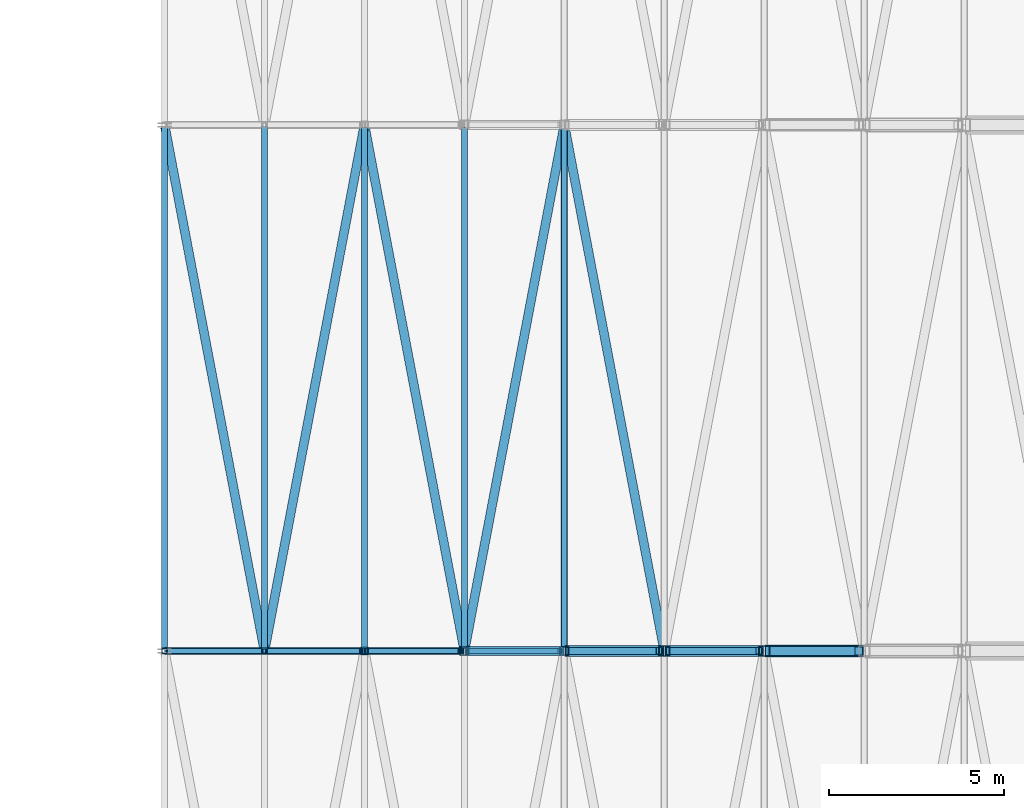
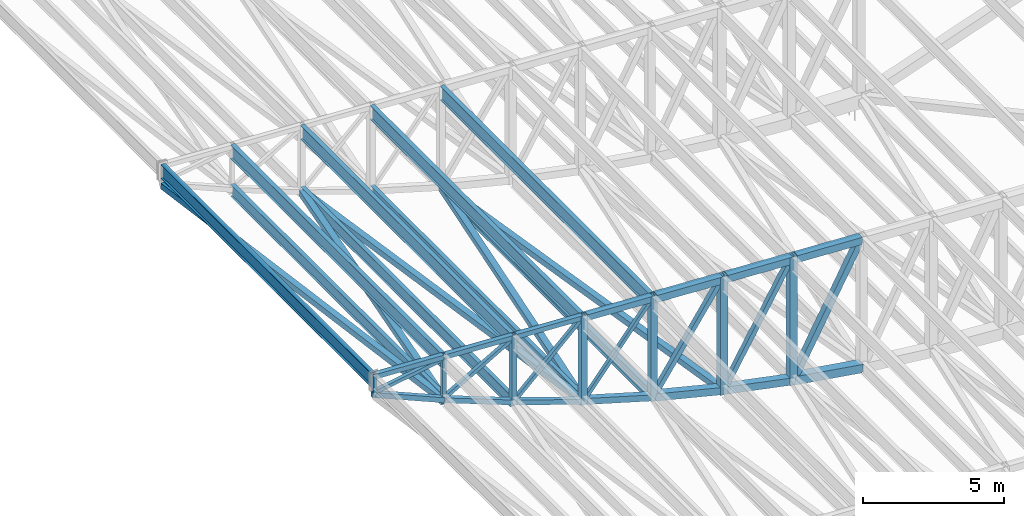
# One storey, part 53 of 278: 21 beams, 21 members.
"""IFC4 building model written with IfcOpenShell, lengths in metres."""

from ifc_helpers import new_model, si_unit, direction, frame, origin, origin_2d, place, context, subcontext, project, spatial, hollow_rectangle, i_section, extrude, material, material_profile, profile_set, type_object, element, save


model = new_model("IFC4")

# Units and contexts
model_context = context("Model", 3, precision=1e-05, world=origin(), true_north=direction((0.0, 1.0)))
body_context = subcontext(model_context, "Body", "Model", "MODEL_VIEW")
ifc_project = project(units=[si_unit("LENGTHUNIT", "METRE"), si_unit("AREAUNIT", "SQUARE_METRE"), si_unit("VOLUMEUNIT", "CUBIC_METRE"), si_unit("PLANEANGLEUNIT", "RADIAN"), si_unit("MASSUNIT", "GRAM", prefix="KILO")], contexts=[model_context])

# Site, building, storey
site_placement = place(None, origin())
site = spatial("IfcSite", under=ifc_project, at=site_placement, CompositionType="ELEMENT")
building_placement = place(site_placement, origin())
building = spatial("IfcBuilding", under=site, at=building_placement, Name="Ogive Plaza Stadium", CompositionType="ELEMENT")
storey_placement = place(building_placement, frame((0.0, 0.0, 29.0)))
storey = spatial("IfcBuildingStorey", under=building, at=storey_placement, Name="Roof", CompositionType="ELEMENT", Elevation=29.0)

# Members
ifc_material_1 = material(Name="Steel ASTM A500 Grade C", Category="steel")
ifc_material_profile_1 = material_profile(ifc_material_1, hollow_rectangle(XDim=0.25390625, YDim=0.25390625, WallThickness=0.0087890625, at=origin_2d()), Name="HSS10X10X3/8")
ifc_profile_set_1 = profile_set([ifc_material_profile_1], Name="Steel ASTM A500 Grade C")
member_type_1 = type_object("IfcMemberType", Name="Roof plan brace HSS10X10X3/8", PredefinedType="BRACE", material=ifc_profile_set_1)
member_1_placement = place(storey_placement, frame((45.513427734375, -22.5703125, 6.520751953125), z_axis=(0.1860644689, -0.979300227871, -0.079693645318), x_axis=(0.982424925297, 0.186658153196, 0.0)))
element("IfcMember", 1, at=member_1_placement, inside=storey, type_object=member_type_1, Name="ROOF BRACE B06 1", PredefinedType="BRACE", context=body_context, shape_type="SweptSolid", body=[
    extrude(hollow_rectangle(XDim=0.25390625, YDim=0.25390625, WallThickness=0.0087890625, at=origin_2d()), origin(), (0.0, 0.0, 1.0), 15.173583984375),
])
member_2_placement = place(storey_placement, frame((48.36328125, -37.4296875, 5.30078125), z_axis=(0.18619699352, 0.979917118172, -0.071366106221), x_axis=(-0.982422109195, 0.186672974385, 0.0)))
element("IfcMember", 2, at=member_2_placement, inside=storey, type_object=member_type_1, Name="ROOF BRACE B06 2", PredefinedType="BRACE", context=body_context, shape_type="SweptSolid", body=[
    extrude(hollow_rectangle(XDim=0.25390625, YDim=0.25390625, WallThickness=0.0087890625, at=origin_2d()), origin(), (0.0, 0.0, 1.0), 15.1376953125),
])
member_3_placement = place(storey_placement, frame((51.21826171875, -22.595947265625, 4.20751953125), z_axis=(0.186305134019, -0.980575459807, -0.061336487198), x_axis=(0.982425223956, 0.186656581279, 0.0)))
element("IfcMember", 3, at=member_3_placement, inside=storey, type_object=member_type_1, Name="ROOF BRACE B06 3", PredefinedType="BRACE", context=body_context, shape_type="SweptSolid", body=[
    extrude(hollow_rectangle(XDim=0.25390625, YDim=0.25390625, WallThickness=0.0087890625, at=origin_2d()), origin(), (0.0, 0.0, 1.0), 15.1015625),
])
member_4_placement = place(storey_placement, frame((54.068115234375, -37.404052734375, 3.27001953125), z_axis=(0.186406461707, 0.981044003163, -0.052965034622), x_axis=(-0.982422964001, 0.186668475654, 0.0)))
element("IfcMember", 4, at=member_4_placement, inside=storey, type_object=member_type_1, Name="ROOF BRACE B06 4", PredefinedType="BRACE", context=body_context, shape_type="SweptSolid", body=[
    extrude(hollow_rectangle(XDim=0.25390625, YDim=0.25390625, WallThickness=0.0087890625, at=origin_2d()), origin(), (0.0, 0.0, 1.0), 15.068359375),
])
member_5_placement = place(storey_placement, frame((56.923095703125, -22.621337890625, 2.459716796875), z_axis=(0.186461324063, -0.981373677857, -0.046237204039), x_axis=(0.982424391989, 0.186660960097, 0.0)))
element("IfcMember", 5, at=member_5_placement, inside=storey, type_object=member_type_1, Name="ROOF BRACE B06 5", PredefinedType="BRACE", context=body_context, shape_type="SweptSolid", body=[
    extrude(hollow_rectangle(XDim=0.25390625, YDim=0.25390625, WallThickness=0.0087890625, at=origin_2d()), origin(), (0.0, 0.0, 1.0), 15.011474609375),
])
ifc_material_2 = material(Name="Steel ASTM A992 Grade 50", Category="steel")
ifc_material_profile_2 = material_profile(ifc_material_2, i_section(OverallWidth=0.1650390625, OverallDepth=0.524658203125, WebThickness=0.0087890625, FlangeThickness=0.011474609375, at=origin_2d()), Name="W21X44")
ifc_profile_set_2 = profile_set([ifc_material_profile_2], Name="Steel ASTM A992 Grade 50")
member_type_2 = type_object("IfcMemberType", Name="Roof plan strut W21X44", PredefinedType="STRUT", material=ifc_profile_set_2)
member_6_placement = place(storey_placement, frame((48.35009765625, -22.546142578125, 5.305908203125), z_axis=(0.0, -1.0, 0.0), x_axis=(1.0, 0.0, 0.0)))
element("IfcMember", 6, at=member_6_placement, inside=storey, type_object=member_type_2, Name="ROOF STRUT B06 1", PredefinedType="STRUT", context=body_context, shape_type="SweptSolid", body=[
    extrude(i_section(OverallWidth=0.1650390625, OverallDepth=0.524658203125, WebThickness=0.0087890625, FlangeThickness=0.011474609375, at=origin_2d()), origin(), (0.0, 0.0, 1.0), 14.90771484375),
])
for number, where, z_axis, x_axis, name in (
    (7, (51.199951171875, -22.571533203125, 4.213623046875), (0.0, -1.0, 0.0), (1.0, 0.0, 0.0), "ROOF STRUT B06 2"),
    (8, (54.050048828125, -22.571533203125, 3.275146484375), (0.0, -1.0, 0.0), (1.0, 0.0, 0.0), "ROOF STRUT B06 3"),
):
    element("IfcMember", number, at=place(storey_placement, frame(where, z_axis=z_axis, x_axis=x_axis)), inside=storey, type_object=member_type_2, Name=name, PredefinedType="STRUT", context=body_context, shape_type="SweptSolid", body=[
        extrude(i_section(OverallWidth=0.1650390625, OverallDepth=0.524658203125, WebThickness=0.0087890625, FlangeThickness=0.011474609375, at=origin_2d()), origin(), (0.0, 0.0, 1.0), 14.85693359375),
    ])
member_7_placement = place(storey_placement, frame((56.89990234375, -22.596923828125, 2.46533203125), z_axis=(0.0, -1.0, 0.0), x_axis=(1.0, 0.0, 0.0)))
element("IfcMember", 9, at=member_7_placement, inside=storey, type_object=member_type_2, Name="ROOF STRUT B06 4", PredefinedType="STRUT", context=body_context, shape_type="SweptSolid", body=[
    extrude(i_section(OverallWidth=0.1650390625, OverallDepth=0.524658203125, WebThickness=0.0087890625, FlangeThickness=0.011474609375, at=origin_2d()), origin(), (0.0, 0.0, 1.0), 14.80615234375),
])
ifc_material_3 = material(Name="Steel ASTM A992 Grade 50", Category="steel")
ifc_material_profile_3 = material_profile(ifc_material_3, i_section(OverallWidth=0.177978515625, OverallDepth=0.5986328125, WebThickness=0.010009765625, FlangeThickness=0.012939453125, at=origin_2d()), Name="W24X55")
ifc_profile_set_3 = profile_set([ifc_material_profile_3], Name="Steel ASTM A992 Grade 50")
member_type_3 = type_object("IfcMemberType", Name="Roof purlin W24X55", PredefinedType="PURLIN", material=ifc_profile_set_3)
member_8_placement = place(storey_placement, frame((48.35009765625, -22.546142578125, 6.983154296875), z_axis=(0.0, -1.0, 0.0), x_axis=(1.0, 0.0, 0.0)))
element("IfcMember", 10, at=member_8_placement, inside=storey, type_object=member_type_3, Name="ROOF PURLIN B06 1", PredefinedType="PURLIN", context=body_context, shape_type="SweptSolid", body=[
    extrude(i_section(OverallWidth=0.177978515625, OverallDepth=0.5986328125, WebThickness=0.010009765625, FlangeThickness=0.012939453125, at=origin_2d()), origin(), (0.0, 0.0, 1.0), 14.90771484375),
])
for number, where, z_axis, x_axis, name in (
    (11, (51.199951171875, -22.571533203125, 6.840576171875), (0.0, -1.0, 0.0), (1.0, 0.0, 0.0), "ROOF PURLIN B06 2"),
    (12, (54.050048828125, -22.571533203125, 6.6982421875), (0.0, -1.0, 0.0), (1.0, 0.0, 0.0), "ROOF PURLIN B06 3"),
):
    element("IfcMember", number, at=place(storey_placement, frame(where, z_axis=z_axis, x_axis=x_axis)), inside=storey, type_object=member_type_3, Name=name, PredefinedType="PURLIN", context=body_context, shape_type="SweptSolid", body=[
        extrude(i_section(OverallWidth=0.177978515625, OverallDepth=0.5986328125, WebThickness=0.010009765625, FlangeThickness=0.012939453125, at=origin_2d()), origin(), (0.0, 0.0, 1.0), 14.85693359375),
    ])
member_9_placement = place(storey_placement, frame((56.89990234375, -22.596923828125, 6.5556640625), z_axis=(0.0, -1.0, 0.0), x_axis=(1.0, 0.0, 0.0)))
element("IfcMember", 13, at=member_9_placement, inside=storey, type_object=member_type_3, Name="ROOF PURLIN B06 4", PredefinedType="PURLIN", context=body_context, shape_type="SweptSolid", body=[
    extrude(i_section(OverallWidth=0.177978515625, OverallDepth=0.5986328125, WebThickness=0.010009765625, FlangeThickness=0.012939453125, at=origin_2d()), origin(), (0.0, 0.0, 1.0), 14.80615234375),
])
ifc_material_4 = material(Name="Steel ASTM A992 Grade 50", Category="steel")
ifc_material_profile_4 = material_profile(ifc_material_4, i_section(OverallWidth=0.177978515625, OverallDepth=0.5986328125, WebThickness=0.010009765625, FlangeThickness=0.012939453125, at=origin_2d()), Name="W24X55")
ifc_profile_set_4 = profile_set([ifc_material_profile_4], Name="Steel ASTM A992 Grade 50")
member_type_4 = type_object("IfcMemberType", Name="Roof tip ring beam W24X55", PredefinedType="MEMBER", material=ifc_profile_set_4)
member_10_placement = place(storey_placement, frame((45.5, -22.546142578125, 7.125732421875), z_axis=(0.0, -1.0, 0.0), x_axis=(1.0, 0.0, 0.0)))
element("IfcMember", 14, at=member_10_placement, inside=storey, type_object=member_type_4, Name="RING BEAM B06", PredefinedType="MEMBER", context=body_context, shape_type="SweptSolid", body=[
    extrude(i_section(OverallWidth=0.177978515625, OverallDepth=0.5986328125, WebThickness=0.010009765625, FlangeThickness=0.012939453125, at=origin_2d()), origin(), (0.0, 0.0, 1.0), 14.90771484375),
])

# Beams
ifc_material_5 = material(Name="Steel ASTM A500 Grade C", Category="steel")
ifc_material_profile_5 = material_profile(ifc_material_5, hollow_rectangle(XDim=0.25390625, YDim=0.25390625, WallThickness=0.01171875, at=origin_2d()), Name="HSS10X10X1/2")
ifc_profile_set_5 = profile_set([ifc_material_profile_5], Name="Steel ASTM A500 Grade C")
beam_type_1 = type_object("IfcBeamType", Name="Roof truss bottom chord HSS10X10X1/2", PredefinedType="BEAM", material=ifc_profile_set_5)
beam_1_placement = place(storey_placement, frame((54.10009765625, -37.5, 3.265869140625), z_axis=(0.959640437259, 0.0, -0.281229854705), x_axis=(0.0, 1.0, 0.0)))
element("IfcBeam", 15, at=beam_1_placement, inside=storey, type_object=beam_type_1, Name="ROOF TRUSS T07 BOTTOM CHORD 4", PredefinedType="BEAM", context=body_context, shape_type="SweptSolid", body=[
    extrude(hollow_rectangle(XDim=0.25390625, YDim=0.25390625, WallThickness=0.01171875, at=origin_2d()), origin(), (0.0, 0.0, 1.0), 2.86572265625),
])
ifc_material_6 = material(Name="Steel ASTM A500 Grade C", Category="steel")
ifc_material_profile_6 = material_profile(ifc_material_6, hollow_rectangle(XDim=0.3046875, YDim=0.3046875, WallThickness=0.0146484375, at=origin_2d()), Name="HSS12X12X5/8")
ifc_profile_set_6 = profile_set([ifc_material_profile_6], Name="Steel ASTM A500 Grade C")
beam_type_2 = type_object("IfcBeamType", Name="Roof truss bottom chord HSS12X12X5/8", PredefinedType="BEAM", material=ifc_profile_set_6)
beam_2_placement = place(storey_placement, frame((56.949951171875, -37.5, 2.45751953125), z_axis=(0.970607032995, 0.0, -0.240669872439), x_axis=(0.0, 1.0, 0.0)))
element("IfcBeam", 16, at=beam_2_placement, inside=storey, type_object=beam_type_2, Name="ROOF TRUSS T07 BOTTOM CHORD 5", PredefinedType="BEAM", context=body_context, shape_type="SweptSolid", body=[
    extrude(hollow_rectangle(XDim=0.3046875, YDim=0.3046875, WallThickness=0.0146484375, at=origin_2d()), origin(), (0.0, 0.0, 1.0), 2.833251953125),
])
beam_3_placement = place(storey_placement, frame((59.800048828125, -37.5, 1.751708984375), z_axis=(0.980021250437, 0.0, -0.19889280704), x_axis=(0.0, 1.0, 0.0)))
element("IfcBeam", 17, at=beam_3_placement, inside=storey, type_object=beam_type_2, Name="ROOF TRUSS T07 BOTTOM CHORD 6", PredefinedType="BEAM", context=body_context, shape_type="SweptSolid", body=[
    extrude(hollow_rectangle(XDim=0.3046875, YDim=0.3046875, WallThickness=0.0146484375, at=origin_2d()), origin(), (0.0, 0.0, 1.0), 2.80615234375),
])
ifc_material_7 = material(Name="Steel ASTM A500 Grade C", Category="steel")
ifc_material_profile_7 = material_profile(ifc_material_7, hollow_rectangle(XDim=0.355712890625, YDim=0.355712890625, WallThickness=0.0146484375, at=origin_2d()), Name="HSS14X14X5/8")
ifc_profile_set_7 = profile_set([ifc_material_profile_7], Name="Steel ASTM A500 Grade C")
beam_type_3 = type_object("IfcBeamType", Name="Roof truss bottom chord HSS14X14X5/8", PredefinedType="BEAM", material=ifc_profile_set_7)
beam_4_placement = place(storey_placement, frame((62.64990234375, -37.5, 1.2001953125), z_axis=(0.987770074518, 0.0, -0.155917541947), x_axis=(0.0, 1.0, 0.0)))
element("IfcBeam", 18, at=beam_4_placement, inside=storey, type_object=beam_type_3, Name="ROOF TRUSS T07 BOTTOM CHORD 7", PredefinedType="BEAM", context=body_context, shape_type="SweptSolid", body=[
    extrude(hollow_rectangle(XDim=0.355712890625, YDim=0.355712890625, WallThickness=0.0146484375, at=origin_2d()), origin(), (0.0, 0.0, 1.0), 2.783935546875),
])
ifc_material_8 = material(Name="Steel ASTM A500 Grade C", Category="steel")
ifc_material_profile_8 = material_profile(ifc_material_8, hollow_rectangle(XDim=0.203125, YDim=0.203125, WallThickness=0.01171875, at=origin_2d()), Name="HSS8X8X1/2")
ifc_profile_set_8 = profile_set([ifc_material_profile_8], Name="Steel ASTM A500 Grade C")
beam_type_4 = type_object("IfcBeamType", Name="Roof truss bottom chord HSS8X8X1/2", PredefinedType="BEAM", material=ifc_profile_set_8)
beam_5_placement = place(storey_placement, frame((45.5400390625, -37.5, 6.518310546875), z_axis=(0.919215459426, 0.0, -0.393754922702), x_axis=(0.0, 1.0, 0.0)))
element("IfcBeam", 19, at=beam_5_placement, inside=storey, type_object=beam_type_4, Name="ROOF TRUSS T07 BOTTOM CHORD 1", PredefinedType="BEAM", context=body_context, shape_type="SweptSolid", body=[
    extrude(hollow_rectangle(XDim=0.203125, YDim=0.203125, WallThickness=0.01171875, at=origin_2d()), origin(), (0.0, 0.0, 1.0), 3.04736328125),
])
beam_6_placement = place(storey_placement, frame((48.386474609375, -37.5, 5.299072265625), z_axis=(0.933780874892, 0.0, -0.357845326484), x_axis=(0.0, 1.0, 0.0)))
element("IfcBeam", 20, at=beam_6_placement, inside=storey, type_object=beam_type_4, Name="ROOF TRUSS T07 BOTTOM CHORD 2", PredefinedType="BEAM", context=body_context, shape_type="SweptSolid", body=[
    extrude(hollow_rectangle(XDim=0.203125, YDim=0.203125, WallThickness=0.01171875, at=origin_2d()), origin(), (0.0, 0.0, 1.0), 2.97314453125),
])
beam_7_placement = place(storey_placement, frame((51.24072265625, -37.5, 4.20556640625), z_axis=(0.947299736415, 0.0, -0.320348574817), x_axis=(0.0, 1.0, 0.0)))
element("IfcBeam", 21, at=beam_7_placement, inside=storey, type_object=beam_type_4, Name="ROOF TRUSS T07 BOTTOM CHORD 3", PredefinedType="BEAM", context=body_context, shape_type="SweptSolid", body=[
    extrude(hollow_rectangle(XDim=0.203125, YDim=0.203125, WallThickness=0.01171875, at=origin_2d()), origin(), (0.0, 0.0, 1.0), 2.912841796875),
])

# Members
ifc_material_9 = material(Name="Steel ASTM A500 Grade C", Category="steel")
ifc_material_profile_9 = material_profile(ifc_material_9, hollow_rectangle(XDim=0.25390625, YDim=0.25390625, WallThickness=0.0087890625, at=origin_2d()), Name="HSS10X10X3/8")
ifc_profile_set_9 = profile_set([ifc_material_profile_9], Name="Steel ASTM A500 Grade C")
member_type_5 = type_object("IfcMemberType", Name="Roof truss diagonal HSS10X10X3/8", PredefinedType="BRACE", material=ifc_profile_set_9)
member_11_placement = place(storey_placement, frame((62.75244140625, -37.5, 1.383544921875), z_axis=(0.473127942579, 0.0, 0.880993728667), x_axis=(0.0, 1.0, 0.0)))
element("IfcMember", 22, at=member_11_placement, inside=storey, type_object=member_type_5, Name="ROOF TRUSS T07 DIAGONAL 7", PredefinedType="BRACE", context=body_context, shape_type="SweptSolid", body=[
    extrude(hollow_rectangle(XDim=0.25390625, YDim=0.25390625, WallThickness=0.0087890625, at=origin_2d()), origin(), (0.0, 0.0, 1.0), 5.37939453125),
])
ifc_material_10 = material(Name="Steel ASTM A500 Grade C", Category="steel")
ifc_material_profile_10 = material_profile(ifc_material_10, hollow_rectangle(XDim=0.15234375, YDim=0.15234375, WallThickness=0.005859375, at=origin_2d()), Name="HSS6X6X1/4")
ifc_profile_set_10 = profile_set([ifc_material_profile_10], Name="Steel ASTM A500 Grade C")
member_type_6 = type_object("IfcMemberType", Name="Roof truss diagonal HSS6X6X1/4", PredefinedType="BRACE", material=ifc_profile_set_10)
member_12_placement = place(storey_placement, frame((45.576171875, -37.5, 6.628173828125), z_axis=(0.986299671123, 0.0, 0.164963507307), x_axis=(0.0, 1.0, 0.0)))
element("IfcMember", 23, at=member_12_placement, inside=storey, type_object=member_type_6, Name="ROOF TRUSS T07 DIAGONAL 1", PredefinedType="BRACE", context=body_context, shape_type="SweptSolid", body=[
    extrude(hollow_rectangle(XDim=0.15234375, YDim=0.15234375, WallThickness=0.005859375, at=origin_2d()), origin(), (0.0, 0.0, 1.0), 2.73486328125),
])
member_13_placement = place(storey_placement, frame((48.42626953125, -37.5, 5.407470703125), z_axis=(0.8679111184, 0.0, 0.496719529069), x_axis=(0.0, 1.0, 0.0)))
element("IfcMember", 24, at=member_13_placement, inside=storey, type_object=member_type_6, Name="ROOF TRUSS T07 DIAGONAL 2", PredefinedType="BRACE", context=body_context, shape_type="SweptSolid", body=[
    extrude(hollow_rectangle(XDim=0.15234375, YDim=0.15234375, WallThickness=0.005859375, at=origin_2d()), origin(), (0.0, 0.0, 1.0), 3.078857421875),
])
ifc_material_11 = material(Name="Steel ASTM A500 Grade C", Category="steel")
ifc_material_profile_11 = material_profile(ifc_material_11, hollow_rectangle(XDim=0.15234375, YDim=0.15234375, WallThickness=0.0087890625, at=origin_2d()), Name="HSS6X6X3/8")
ifc_profile_set_11 = profile_set([ifc_material_profile_11], Name="Steel ASTM A500 Grade C")
member_type_7 = type_object("IfcMemberType", Name="Roof truss diagonal HSS6X6X3/8", PredefinedType="BRACE", material=ifc_profile_set_11)
member_14_placement = place(storey_placement, frame((51.301513671875, -37.5, 4.315185546875), z_axis=(0.726588919749, 0.0, 0.687072442832), x_axis=(0.0, 1.0, 0.0)))
element("IfcMember", 25, at=member_14_placement, inside=storey, type_object=member_type_7, Name="ROOF TRUSS T07 DIAGONAL 3", PredefinedType="BRACE", context=body_context, shape_type="SweptSolid", body=[
    extrude(hollow_rectangle(XDim=0.15234375, YDim=0.15234375, WallThickness=0.0087890625, at=origin_2d()), origin(), (0.0, 0.0, 1.0), 3.608154296875),
])
member_15_placement = place(storey_placement, frame((54.177001953125, -37.5, 3.40234375), z_axis=(0.630150764463, 0.0, 0.77647280316), x_axis=(0.0, 1.0, 0.0)))
element("IfcMember", 26, at=member_15_placement, inside=storey, type_object=member_type_7, Name="ROOF TRUSS T07 DIAGONAL 4", PredefinedType="BRACE", context=body_context, shape_type="SweptSolid", body=[
    extrude(hollow_rectangle(XDim=0.15234375, YDim=0.15234375, WallThickness=0.0087890625, at=origin_2d()), origin(), (0.0, 0.0, 1.0), 4.11962890625),
])
ifc_material_12 = material(Name="Steel ASTM A500 Grade C", Category="steel")
ifc_material_profile_12 = material_profile(ifc_material_12, hollow_rectangle(XDim=0.203125, YDim=0.203125, WallThickness=0.0087890625, at=origin_2d()), Name="HSS8X8X3/8")
ifc_profile_set_12 = profile_set([ifc_material_profile_12], Name="Steel ASTM A500 Grade C")
member_type_8 = type_object("IfcMemberType", Name="Roof truss diagonal HSS8X8X3/8", PredefinedType="BRACE", material=ifc_profile_set_12)
member_16_placement = place(storey_placement, frame((57.027099609375, -37.5, 2.617919921875), z_axis=(0.561338440243, 0.0, 0.827586343233), x_axis=(0.0, 1.0, 0.0)))
element("IfcMember", 27, at=member_16_placement, inside=storey, type_object=member_type_8, Name="ROOF TRUSS T07 DIAGONAL 5", PredefinedType="BRACE", context=body_context, shape_type="SweptSolid", body=[
    extrude(hollow_rectangle(XDim=0.203125, YDim=0.203125, WallThickness=0.0087890625, at=origin_2d()), origin(), (0.0, 0.0, 1.0), 4.579345703125),
])
member_17_placement = place(storey_placement, frame((59.90234375, -37.5, 1.9111328125), z_axis=(0.504659398762, 0.0, 0.863318534054), x_axis=(0.0, 1.0, 0.0)))
element("IfcMember", 28, at=member_17_placement, inside=storey, type_object=member_type_8, Name="ROOF TRUSS T07 DIAGONAL 6", PredefinedType="BRACE", context=body_context, shape_type="SweptSolid", body=[
    extrude(hollow_rectangle(XDim=0.203125, YDim=0.203125, WallThickness=0.0087890625, at=origin_2d()), origin(), (0.0, 0.0, 1.0), 5.043212890625),
])

# Beams
ifc_material_13 = material(Name="Steel ASTM A500 Grade C", Category="steel")
ifc_material_profile_13 = material_profile(ifc_material_13, hollow_rectangle(XDim=0.25390625, YDim=0.25390625, WallThickness=0.01171875, at=origin_2d()), Name="HSS10X10X1/2")
ifc_profile_set_13 = profile_set([ifc_material_profile_13], Name="Steel ASTM A500 Grade C")
beam_type_5 = type_object("IfcBeamType", Name="Roof truss post HSS10X10X1/2", PredefinedType="BEAM", material=ifc_profile_set_13)
beam_8_placement = place(storey_placement, frame((54.050048828125, -37.5, 3.148193359375), z_axis=(0.0, 0.0, 1.0), x_axis=(0.0, 1.0, 0.0)))
element("IfcBeam", 29, at=beam_8_placement, inside=storey, type_object=beam_type_5, Name="ROOF TRUSS T07 POST 4", PredefinedType="BEAM", context=body_context, shape_type="SweptSolid", body=[
    extrude(hollow_rectangle(XDim=0.25390625, YDim=0.25390625, WallThickness=0.01171875, at=origin_2d()), origin(), (0.0, 0.0, 1.0), 3.849365234375),
])
beam_9_placement = place(storey_placement, frame((56.89990234375, -37.5, 2.31298828125), z_axis=(0.0, 0.0, 1.0), x_axis=(0.0, 1.0, 0.0)))
element("IfcBeam", 30, at=beam_9_placement, inside=storey, type_object=beam_type_5, Name="ROOF TRUSS T07 POST 5", PredefinedType="BEAM", context=body_context, shape_type="SweptSolid", body=[
    extrude(hollow_rectangle(XDim=0.25390625, YDim=0.25390625, WallThickness=0.01171875, at=origin_2d()), origin(), (0.0, 0.0, 1.0), 4.5419921875),
])
ifc_material_14 = material(Name="Steel ASTM A500 Grade C", Category="steel")
ifc_material_profile_14 = material_profile(ifc_material_14, hollow_rectangle(XDim=0.3046875, YDim=0.3046875, WallThickness=0.01171875, at=origin_2d()), Name="HSS12X12X1/2")
ifc_profile_set_14 = profile_set([ifc_material_profile_14], Name="Steel ASTM A500 Grade C")
beam_type_6 = type_object("IfcBeamType", Name="Roof truss post HSS12X12X1/2", PredefinedType="BEAM", material=ifc_profile_set_14)
beam_10_placement = place(storey_placement, frame((59.75, -37.5, 1.606201171875), z_axis=(0.0, 0.0, 1.0), x_axis=(0.0, 1.0, 0.0)))
element("IfcBeam", 31, at=beam_10_placement, inside=storey, type_object=beam_type_6, Name="ROOF TRUSS T07 POST 6", PredefinedType="BEAM", context=body_context, shape_type="SweptSolid", body=[
    extrude(hollow_rectangle(XDim=0.3046875, YDim=0.3046875, WallThickness=0.01171875, at=origin_2d()), origin(), (0.0, 0.0, 1.0), 5.106201171875),
])
ifc_material_15 = material(Name="Steel ASTM A500 Grade C", Category="steel")
ifc_material_profile_15 = material_profile(ifc_material_15, hollow_rectangle(XDim=0.3046875, YDim=0.3046875, WallThickness=0.0146484375, at=origin_2d()), Name="HSS12X12X5/8")
ifc_profile_set_15 = profile_set([ifc_material_profile_15], Name="Steel ASTM A500 Grade C")
beam_type_7 = type_object("IfcBeamType", Name="Roof truss post HSS12X12X5/8", PredefinedType="BEAM", material=ifc_profile_set_15)
beam_11_placement = place(storey_placement, frame((62.60009765625, -37.5, 1.028076171875), z_axis=(0.0, 0.0, 1.0), x_axis=(0.0, 1.0, 0.0)))
element("IfcBeam", 32, at=beam_11_placement, inside=storey, type_object=beam_type_7, Name="ROOF TRUSS T07 POST 7", PredefinedType="BEAM", context=body_context, shape_type="SweptSolid", body=[
    extrude(hollow_rectangle(XDim=0.3046875, YDim=0.3046875, WallThickness=0.0146484375, at=origin_2d()), origin(), (0.0, 0.0, 1.0), 5.5419921875),
])
ifc_material_16 = material(Name="Steel ASTM A500 Grade C", Category="steel")
ifc_material_profile_16 = material_profile(ifc_material_16, hollow_rectangle(XDim=0.15234375, YDim=0.15234375, WallThickness=0.0087890625, at=origin_2d()), Name="HSS6X6X3/8")
ifc_profile_set_16 = profile_set([ifc_material_profile_16], Name="Steel ASTM A500 Grade C")
beam_type_8 = type_object("IfcBeamType", Name="Roof truss post HSS6X6X3/8", PredefinedType="BEAM", material=ifc_profile_set_16)
beam_12_placement = place(storey_placement, frame((45.5, -37.5, 6.425048828125), z_axis=(0.0, 0.0, 1.0), x_axis=(0.0, 1.0, 0.0)))
element("IfcBeam", 33, at=beam_12_placement, inside=storey, type_object=beam_type_8, Name="ROOF TRUSS T07 POST 1", PredefinedType="BEAM", context=body_context, shape_type="SweptSolid", body=[
    extrude(hollow_rectangle(XDim=0.15234375, YDim=0.15234375, WallThickness=0.0087890625, at=origin_2d()), origin(), (0.0, 0.0, 1.0), 1.0),
])
beam_13_placement = place(storey_placement, frame((48.35009765625, -37.5, 5.204345703125), z_axis=(0.0, 0.0, 1.0), x_axis=(0.0, 1.0, 0.0)))
element("IfcBeam", 34, at=beam_13_placement, inside=storey, type_object=beam_type_8, Name="ROOF TRUSS T07 POST 2", PredefinedType="BEAM", context=body_context, shape_type="SweptSolid", body=[
    extrude(hollow_rectangle(XDim=0.15234375, YDim=0.15234375, WallThickness=0.0087890625, at=origin_2d()), origin(), (0.0, 0.0, 1.0), 2.078125),
])
ifc_material_17 = material(Name="Steel ASTM A500 Grade C", Category="steel")
ifc_material_profile_17 = material_profile(ifc_material_17, hollow_rectangle(XDim=0.203125, YDim=0.203125, WallThickness=0.0087890625, at=origin_2d()), Name="HSS8X8X3/8")
ifc_profile_set_17 = profile_set([ifc_material_profile_17], Name="Steel ASTM A500 Grade C")
beam_type_9 = type_object("IfcBeamType", Name="Roof truss post HSS8X8X3/8", PredefinedType="BEAM", material=ifc_profile_set_17)
beam_14_placement = place(storey_placement, frame((51.199951171875, -37.5, 4.112060546875), z_axis=(0.0, 0.0, 1.0), x_axis=(0.0, 1.0, 0.0)))
element("IfcBeam", 35, at=beam_14_placement, inside=storey, type_object=beam_type_9, Name="ROOF TRUSS T07 POST 3", PredefinedType="BEAM", context=body_context, shape_type="SweptSolid", body=[
    extrude(hollow_rectangle(XDim=0.203125, YDim=0.203125, WallThickness=0.0087890625, at=origin_2d()), origin(), (0.0, 0.0, 1.0), 3.02783203125),
])
ifc_material_18 = material(Name="Steel ASTM A500 Grade C", Category="steel")
ifc_material_profile_18 = material_profile(ifc_material_18, hollow_rectangle(XDim=0.25390625, YDim=0.25390625, WallThickness=0.0087890625, at=origin_2d()), Name="HSS10X10X3/8")
ifc_profile_set_18 = profile_set([ifc_material_profile_18], Name="Steel ASTM A500 Grade C")
beam_type_10 = type_object("IfcBeamType", Name="Roof truss top chord HSS10X10X3/8", PredefinedType="BEAM", material=ifc_profile_set_18)
beam_15_placement = place(storey_placement, frame((54.10009765625, -37.5, 6.867919921875), z_axis=(0.998748798523, 0.0, -0.05000837379), x_axis=(0.0, 1.0, 0.0)))
element("IfcBeam", 36, at=beam_15_placement, inside=storey, type_object=beam_type_10, Name="ROOF TRUSS T07 TOP CHORD 4", PredefinedType="BEAM", context=body_context, shape_type="SweptSolid", body=[
    extrude(hollow_rectangle(XDim=0.25390625, YDim=0.25390625, WallThickness=0.0087890625, at=origin_2d()), origin(), (0.0, 0.0, 1.0), 2.75341796875),
])
ifc_material_19 = material(Name="Steel ASTM A500 Grade C", Category="steel")
ifc_material_profile_19 = material_profile(ifc_material_19, hollow_rectangle(XDim=0.3046875, YDim=0.3046875, WallThickness=0.01171875, at=origin_2d()), Name="HSS12X12X1/2")
ifc_profile_set_19 = profile_set([ifc_material_profile_19], Name="Steel ASTM A500 Grade C")
beam_type_11 = type_object("IfcBeamType", Name="Roof truss top chord HSS12X12X1/2", PredefinedType="BEAM", material=ifc_profile_set_19)
beam_16_placement = place(storey_placement, frame((62.64990234375, -37.5, 6.414794921875), z_axis=(0.998753223187, 0.0, -0.049919927615), x_axis=(0.0, 1.0, 0.0)))
element("IfcBeam", 37, at=beam_16_placement, inside=storey, type_object=beam_type_11, Name="ROOF TRUSS T07 TOP CHORD 7", PredefinedType="BEAM", context=body_context, shape_type="SweptSolid", body=[
    extrude(hollow_rectangle(XDim=0.3046875, YDim=0.3046875, WallThickness=0.01171875, at=origin_2d()), origin(), (0.0, 0.0, 1.0), 2.75341796875),
])
ifc_material_20 = material(Name="Steel ASTM A500 Grade C", Category="steel")
ifc_material_profile_20 = material_profile(ifc_material_20, hollow_rectangle(XDim=0.3046875, YDim=0.3046875, WallThickness=0.0087890625, at=origin_2d()), Name="HSS12X12X3/8")
ifc_profile_set_20 = profile_set([ifc_material_profile_20], Name="Steel ASTM A500 Grade C")
beam_type_12 = type_object("IfcBeamType", Name="Roof truss top chord HSS12X12X3/8", PredefinedType="BEAM", material=ifc_profile_set_20)
for number, where, z_axis, x_axis, name in (
    (38, (56.949951171875, -37.5, 6.699951171875), (0.998753223187, 0.0, -0.049919927615), (0.0, 1.0, 0.0), "ROOF TRUSS T07 TOP CHORD 5"),
    (39, (59.800048828125, -37.5, 6.557373046875), (0.998753223187, 0.0, -0.049919927615), (0.0, 1.0, 0.0), "ROOF TRUSS T07 TOP CHORD 6"),
):
    element("IfcBeam", number, at=place(storey_placement, frame(where, z_axis=z_axis, x_axis=x_axis)), inside=storey, type_object=beam_type_12, Name=name, PredefinedType="BEAM", context=body_context, shape_type="SweptSolid", body=[
        extrude(hollow_rectangle(XDim=0.3046875, YDim=0.3046875, WallThickness=0.0087890625, at=origin_2d()), origin(), (0.0, 0.0, 1.0), 2.75341796875),
    ])
ifc_material_21 = material(Name="Steel ASTM A500 Grade C", Category="steel")
ifc_material_profile_21 = material_profile(ifc_material_21, hollow_rectangle(XDim=0.203125, YDim=0.203125, WallThickness=0.0087890625, at=origin_2d()), Name="HSS8X8X3/8")
ifc_profile_set_21 = profile_set([ifc_material_profile_21], Name="Steel ASTM A500 Grade C")
beam_type_13 = type_object("IfcBeamType", Name="Roof truss top chord HSS8X8X3/8", PredefinedType="BEAM", material=ifc_profile_set_21)
beam_17_placement = place(storey_placement, frame((45.541259765625, -37.5, 7.3212890625), z_axis=(0.998751459876, 0.0, -0.049955193873), x_axis=(0.0, 1.0, 0.0)))
element("IfcBeam", 40, at=beam_17_placement, inside=storey, type_object=beam_type_13, Name="ROOF TRUSS T07 TOP CHORD 1", PredefinedType="BEAM", context=body_context, shape_type="SweptSolid", body=[
    extrude(hollow_rectangle(XDim=0.203125, YDim=0.203125, WallThickness=0.0087890625, at=origin_2d()), origin(), (0.0, 0.0, 1.0), 2.77099609375),
])
beam_18_placement = place(storey_placement, frame((48.39111328125, -37.5, 7.1787109375), z_axis=(0.998752338878, 0.0, -0.049937616944), x_axis=(0.0, 1.0, 0.0)))
element("IfcBeam", 41, at=beam_18_placement, inside=storey, type_object=beam_type_13, Name="ROOF TRUSS T07 TOP CHORD 2", PredefinedType="BEAM", context=body_context, shape_type="SweptSolid", body=[
    extrude(hollow_rectangle(XDim=0.203125, YDim=0.203125, WallThickness=0.0087890625, at=origin_2d()), origin(), (0.0, 0.0, 1.0), 2.76220703125),
])
beam_19_placement = place(storey_placement, frame((51.25, -37.5, 7.035888671875), z_axis=(0.998748798523, 0.0, -0.05000837379), x_axis=(0.0, 1.0, 0.0)))
element("IfcBeam", 42, at=beam_19_placement, inside=storey, type_object=beam_type_13, Name="ROOF TRUSS T07 TOP CHORD 3", PredefinedType="BEAM", context=body_context, shape_type="SweptSolid", body=[
    extrude(hollow_rectangle(XDim=0.203125, YDim=0.203125, WallThickness=0.0087890625, at=origin_2d()), origin(), (0.0, 0.0, 1.0), 2.75341796875),
])

save(model, "model.ifc")
